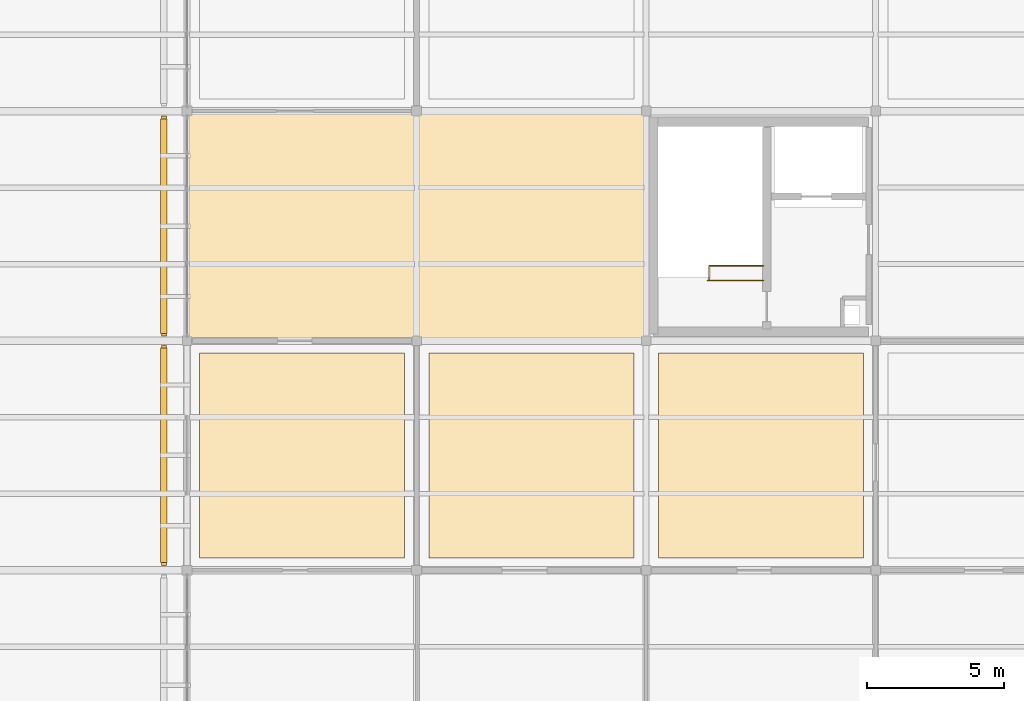
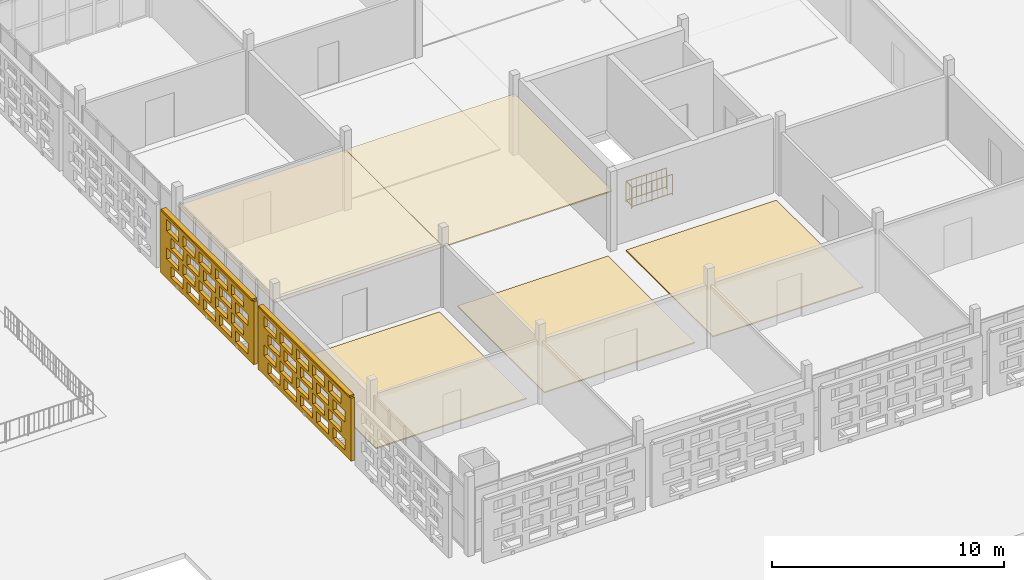
# One storey, part 152 of 166: 7 coverings, 2 railings, 2 shading devices, 40 openings.
"""IFC4 building model written with IfcOpenShell, lengths in metres."""

from ifc_helpers import new_model, si_unit, direction, frame, frame_2d, origin, origin_2d, place, context, subcontext, project, spatial, rectangle, circle, extrude, material, layer, layer_set, type_object, element, save


model = new_model("IFC4")

# Units and contexts
model_context = context("Model", 3, precision=1e-05, world=origin(), true_north=direction((0.0, 1.0)))
body_context = subcontext(model_context, "Body", "Model", "MODEL_VIEW")
ifc_project = project(units=[si_unit("LENGTHUNIT", "METRE"), si_unit("AREAUNIT", "SQUARE_METRE"), si_unit("VOLUMEUNIT", "CUBIC_METRE"), si_unit("PLANEANGLEUNIT", "RADIAN"), si_unit("MASSUNIT", "GRAM", prefix="KILO")], contexts=[model_context])

# Site, building, storey
site_placement = place(None, origin())
site = spatial("IfcSite", under=ifc_project, at=site_placement, CompositionType="ELEMENT")
building_placement = place(site_placement, origin())
building = spatial("IfcBuilding", under=site, at=building_placement, Name="Varnapada Polytechnic", CompositionType="ELEMENT")
storey_placement = place(building_placement, frame((0.0, 0.0, 9.60009765625)))
storey = spatial("IfcBuildingStorey", under=building, at=storey_placement, Name="L02", CompositionType="ELEMENT", Elevation=9.60009765625)

# Coverings
ifc_material_1 = material(Name="Anti-Static Raised Laboratory Flooring")
ifc_layer_1 = layer(ifc_material_1, 0.06005859375)
ifc_layer_set_1 = layer_set([ifc_layer_1], Name="Anti-Static Raised Laboratory Flooring")
covering_type_1 = type_object("IfcCoveringType", Name="Floor Finish FLR-02", PredefinedType="FLOORING", material=ifc_layer_set_1)
for number, where, z_axis, x_axis, name in (
    (1, (138.60009765625, 21.0, -0.000244140625), (0.0, 0.0, 1.0), (1.0, 0.0, 0.0), "L02 floor finish panel (17,3)"),
    (2, (147.0, 21.0, -0.000244140625), (0.0, 0.0, 1.0), (1.0, 0.0, 0.0), "L02 floor finish panel (18,3)"),
    (3, (155.39990234375, 21.0, -0.000244140625), (0.0, 0.0, 1.0), (1.0, 0.0, 0.0), "L02 floor finish panel (19,3)"),
):
    element("IfcCovering", number, at=place(storey_placement, frame(where, z_axis=z_axis, x_axis=x_axis)), inside=storey, type_object=covering_type_1, Name=name, PredefinedType="FLOORING", context=body_context, shape_type="SweptSolid", body=[
        extrude(rectangle(XDim=7.5, YDim=7.5, at=origin_2d()), origin(), (0.0, 0.0, 1.0), 0.06005859375),
    ])

# Railings
ifc_material_2 = material(Name="Brushed Stainless Steel 316", Category="steel")
railing_type = type_object("IfcRailingType", Name="Stair Well Guard Rail SGR-01", PredefinedType="BALUSTRADE", material=ifc_material_2)
railing_1_placement = place(storey_placement, frame((155.5, 27.39990234375, 0.0)))
element("IfcRailing", 4, at=railing_1_placement, inside=storey, type_object=railing_type, Name="L02 ST-6 top well guard 1", PredefinedType="BALUSTRADE", context=body_context, shape_type="SweptSolid", body=[
    extrude(circle(Radius=0.02392578125, at=origin_2d()), frame((0.0, 0.0, 1.09619140625), z_axis=(-1.0, 0.0, 0.0), x_axis=(0.0, -1.0, 0.0)), (0.0, 0.0, 1.0), 2.050048828125),
    extrude(circle(Radius=0.02392578125, at=origin_2d()), frame((0.0, 0.0, 0.10009765625), z_axis=(-1.0, 0.0, 0.0), x_axis=(0.0, -1.0, 0.0)), (0.0, 0.0, 1.0), 2.050048828125),
    extrude(circle(Radius=0.02099609375, at=origin_2d()), origin(), (0.0, 0.0, 1.0), 1.072021484375),
    extrude(circle(Radius=0.02099609375, at=origin_2d()), frame((-1.02490234375, 0.0, 0.0)), (0.0, 0.0, 1.0), 1.072021484375),
    extrude(circle(Radius=0.02099609375, at=origin_2d()), frame((-2.050048828125, 0.0, 0.0)), (0.0, 0.0, 1.0), 1.072021484375),
    extrude(circle(Radius=0.010009765625, at=origin_2d()), frame((-0.25634765625, 0.0, 0.10009765625)), (0.0, 0.0, 1.0), 0.971923828125),
    extrude(circle(Radius=0.010009765625, at=origin_2d()), frame((-0.512451171875, 0.0, 0.10009765625)), (0.0, 0.0, 1.0), 0.971923828125),
    extrude(circle(Radius=0.010009765625, at=origin_2d()), frame((-0.768798828125, 0.0, 0.10009765625)), (0.0, 0.0, 1.0), 0.971923828125),
    extrude(circle(Radius=0.010009765625, at=origin_2d()), frame((-1.02490234375, 0.0, 0.10009765625)), (0.0, 0.0, 1.0), 0.971923828125),
    extrude(circle(Radius=0.010009765625, at=origin_2d()), frame((-1.28125, 0.0, 0.10009765625)), (0.0, 0.0, 1.0), 0.971923828125),
    extrude(circle(Radius=0.010009765625, at=origin_2d()), frame((-1.53759765625, 0.0, 0.10009765625)), (0.0, 0.0, 1.0), 0.971923828125),
    extrude(circle(Radius=0.010009765625, at=origin_2d()), frame((-1.793701171875, 0.0, 0.10009765625)), (0.0, 0.0, 1.0), 0.971923828125),
])
railing_2_placement = place(storey_placement, frame((153.5, 27.449951171875, 0.0)))
element("IfcRailing", 5, at=railing_2_placement, inside=storey, type_object=railing_type, Name="L02 C6 top stair-well guard", PredefinedType="BALUSTRADE", context=body_context, shape_type="SweptSolid", body=[
    extrude(circle(Radius=0.02392578125, at=origin_2d()), frame((0.0, 0.0, 1.09619140625), z_axis=(0.0, 1.0, 0.0), x_axis=(-1.0, 0.0, 0.0)), (0.0, 0.0, 1.0), 0.489990234375),
    extrude(circle(Radius=0.02392578125, at=origin_2d()), frame((0.0, 0.0, 0.10009765625), z_axis=(0.0, 1.0, 0.0), x_axis=(-1.0, 0.0, 0.0)), (0.0, 0.0, 1.0), 0.489990234375),
    extrude(circle(Radius=0.02392578125, at=origin_2d()), frame((0.0, 0.489990234375, 1.09619140625), z_axis=(1.0, 0.0, 0.0), x_axis=(0.0, 1.0, 0.0)), (0.0, 0.0, 1.0), 2.0),
    extrude(circle(Radius=0.02392578125, at=origin_2d()), frame((0.0, 0.489990234375, 0.10009765625), z_axis=(1.0, 0.0, 0.0), x_axis=(0.0, 1.0, 0.0)), (0.0, 0.0, 1.0), 2.0),
    extrude(circle(Radius=0.02099609375, at=origin_2d()), origin(), (0.0, 0.0, 1.0), 1.072021484375),
    extrude(circle(Radius=0.02099609375, at=origin_2d()), frame((0.0, 0.489990234375, 0.0)), (0.0, 0.0, 1.0), 1.072021484375),
    extrude(circle(Radius=0.02099609375, at=origin_2d()), frame((1.0, 0.489990234375, 0.0)), (0.0, 0.0, 1.0), 1.072021484375),
    extrude(circle(Radius=0.02099609375, at=origin_2d()), frame((2.0, 0.489990234375, 0.0)), (0.0, 0.0, 1.0), 1.072021484375),
    extrude(circle(Radius=0.010009765625, at=origin_2d()), frame((0.0, 0.2451171875, 0.10009765625)), (0.0, 0.0, 1.0), 0.971923828125),
    extrude(circle(Radius=0.010009765625, at=origin_2d()), frame((0.25, 0.489990234375, 0.10009765625)), (0.0, 0.0, 1.0), 0.971923828125),
    extrude(circle(Radius=0.010009765625, at=origin_2d()), frame((0.5, 0.489990234375, 0.10009765625)), (0.0, 0.0, 1.0), 0.971923828125),
    extrude(circle(Radius=0.010009765625, at=origin_2d()), frame((0.75, 0.489990234375, 0.10009765625)), (0.0, 0.0, 1.0), 0.971923828125),
    extrude(circle(Radius=0.010009765625, at=origin_2d()), frame((1.0, 0.489990234375, 0.10009765625)), (0.0, 0.0, 1.0), 0.971923828125),
    extrude(circle(Radius=0.010009765625, at=origin_2d()), frame((1.25, 0.489990234375, 0.10009765625)), (0.0, 0.0, 1.0), 0.971923828125),
    extrude(circle(Radius=0.010009765625, at=origin_2d()), frame((1.5, 0.489990234375, 0.10009765625)), (0.0, 0.0, 1.0), 0.971923828125),
    extrude(circle(Radius=0.010009765625, at=origin_2d()), frame((1.75, 0.489990234375, 0.10009765625)), (0.0, 0.0, 1.0), 0.971923828125),
])

# Coverings
ifc_material_3 = material(Name="Perforated Timber Slatted Baffle Ceiling", Category="wood")
ifc_layer_2 = layer(ifc_material_3, 0.050048828125)
ifc_layer_set_2 = layer_set([ifc_layer_2], Name="Perforated Timber Slatted Baffle Ceiling")
covering_type_2 = type_object("IfcCoveringType", Name="Suspended Ceiling CLG-02", PredefinedType="CEILING", material=ifc_layer_set_2)
covering_1_placement = place(storey_placement, frame((138.60009765625, 29.39990234375, 3.02490234375), z_axis=(0.0, 0.0, 1.0), x_axis=(1.0, 0.0, 0.0)))
element("IfcCovering", 6, at=covering_1_placement, inside=storey, type_object=covering_type_2, Name="L02 suspended acoustic ceiling (17,4)", PredefinedType="CEILING", context=body_context, shape_type="SweptSolid", body=[
    extrude(rectangle(XDim=8.419921875, YDim=8.419921875, at=origin_2d()), origin(), (0.0, 0.0, 1.0), 0.050048828125),
])
ifc_material_4 = material(Name="Deep Acoustic Auditorium Cloud Baffle")
ifc_layer_3 = layer(ifc_material_4, 0.06494140625)
ifc_layer_set_3 = layer_set([ifc_layer_3], Name="Deep Acoustic Auditorium Cloud Baffle")
covering_type_3 = type_object("IfcCoveringType", Name="Suspended Ceiling CLG-07", PredefinedType="CEILING", material=ifc_layer_set_3)
covering_2_placement = place(storey_placement, frame((147.0, 29.39990234375, 3.017333984375), z_axis=(0.0, 0.0, 1.0), x_axis=(1.0, 0.0, 0.0)))
element("IfcCovering", 7, at=covering_2_placement, inside=storey, type_object=covering_type_3, Name="L02 suspended acoustic ceiling (18,4)", PredefinedType="CEILING", context=body_context, shape_type="SweptSolid", body=[
    extrude(rectangle(XDim=8.419921875, YDim=8.419921875, at=origin_2d()), origin(), (0.0, 0.0, 1.0), 0.06494140625),
])

# Covering, openings
ifc_material_5 = material(Name="Earth-toned architectural terracotta screen block", Category="masonry")
ifc_layer_4 = layer(ifc_material_5, 0.1201171875)
ifc_layer_set_4 = layer_set([ifc_layer_4], Name="Earth-toned architectural terracotta screen block")
covering_type_4 = type_object("IfcCoveringType", Name="Terracotta Screen Cladding CLD-01", PredefinedType="CLADDING", material=ifc_layer_set_4)
covering_3_placement = place(storey_placement, frame((133.550048828125, 16.97998046875, 0.0), z_axis=(0.0, 0.0, 1.0), x_axis=(0.0, 1.0, 0.0)))
covering_3 = element("IfcCovering", 8, at=covering_3_placement, inside=storey, type_object=covering_type_4, Name="L02 perforated terracotta block screen (81)", PredefinedType="CLADDING", context=body_context, shape_type="SweptSolid", body=[
    extrude(rectangle(XDim=8.050048828125, YDim=0.179931640625, at=frame_2d((4.02490234375, 0.0))), origin(), (0.0, 0.0, 1.0), 3.31982421875),
])
opening_1_placement = place(covering_3_placement, frame((0.52490234375, 0.0, 0.265625)))
element("IfcOpeningElement", 9, at=opening_1_placement, cuts=covering_3, Name="Screen perforation TBS-L02-080.1", PredefinedType="OPENING", context=body_context, shape_type="SweptSolid", body=[
    extrude(rectangle(XDim=1.0400390625, YDim=0.5810546875, at=frame_2d((0.52001953125, 0.29052734375))), frame((0.0, 0.099853515625, 0.0), z_axis=(0.0, -1.0, 0.0), x_axis=(1.0, 0.0, 0.0)), (0.0, 0.0, 1.0), 0.199951171875),
])
opening_2_placement = place(covering_3_placement, frame((1.925048828125, 0.0, 0.265625)))
element("IfcOpeningElement", 10, at=opening_2_placement, cuts=covering_3, Name="Screen perforation TBS-L02-080.2", PredefinedType="OPENING", context=body_context, shape_type="SweptSolid", body=[
    extrude(rectangle(XDim=1.0400390625, YDim=0.5810546875, at=frame_2d((0.52001953125, 0.29052734375))), frame((0.0, 0.099853515625, 0.0), z_axis=(0.0, -1.0, 0.0), x_axis=(1.0, 0.0, 0.0)), (0.0, 0.0, 1.0), 0.199951171875),
])
opening_3_placement = place(covering_3_placement, frame((3.324951171875, 0.0, 0.265625)))
element("IfcOpeningElement", 11, at=opening_3_placement, cuts=covering_3, Name="Screen perforation TBS-L02-080.3", PredefinedType="OPENING", context=body_context, shape_type="SweptSolid", body=[
    extrude(rectangle(XDim=1.0400390625, YDim=0.5810546875, at=frame_2d((0.52001953125, 0.29052734375))), frame((0.0, 0.099853515625, 0.0), z_axis=(0.0, -1.0, 0.0), x_axis=(1.0, 0.0, 0.0)), (0.0, 0.0, 1.0), 0.199951171875),
])
opening_4_placement = place(covering_3_placement, frame((4.72509765625, 0.0, 0.265625)))
element("IfcOpeningElement", 12, at=opening_4_placement, cuts=covering_3, Name="Screen perforation TBS-L02-080.4", PredefinedType="OPENING", context=body_context, shape_type="SweptSolid", body=[
    extrude(rectangle(XDim=1.0400390625, YDim=0.5810546875, at=frame_2d((0.52001953125, 0.29052734375))), frame((0.0, 0.099853515625, 0.0), z_axis=(0.0, -1.0, 0.0), x_axis=(1.0, 0.0, 0.0)), (0.0, 0.0, 1.0), 0.199951171875),
])
opening_5_placement = place(covering_3_placement, frame((6.125, 0.0, 0.265625)))
element("IfcOpeningElement", 13, at=opening_5_placement, cuts=covering_3, Name="Screen perforation TBS-L02-080.5", PredefinedType="OPENING", context=body_context, shape_type="SweptSolid", body=[
    extrude(rectangle(XDim=1.0400390625, YDim=0.5810546875, at=frame_2d((0.52001953125, 0.29052734375))), frame((0.0, 0.099853515625, 0.0), z_axis=(0.0, -1.0, 0.0), x_axis=(1.0, 0.0, 0.0)), (0.0, 0.0, 1.0), 0.199951171875),
])
opening_6_placement = place(covering_3_placement, frame((0.885009765625, 0.0, 1.0126953125)))
element("IfcOpeningElement", 14, at=opening_6_placement, cuts=covering_3, Name="Screen perforation TBS-L02-080.6", PredefinedType="OPENING", context=body_context, shape_type="SweptSolid", body=[
    extrude(rectangle(XDim=1.0400390625, YDim=0.5810546875, at=frame_2d((0.52001953125, 0.29052734375))), frame((0.0, 0.099853515625, 0.0), z_axis=(0.0, -1.0, 0.0), x_axis=(1.0, 0.0, 0.0)), (0.0, 0.0, 1.0), 0.199951171875),
])
opening_7_placement = place(covering_3_placement, frame((2.284912109375, 0.0, 1.0126953125)))
element("IfcOpeningElement", 15, at=opening_7_placement, cuts=covering_3, Name="Screen perforation TBS-L02-080.7", PredefinedType="OPENING", context=body_context, shape_type="SweptSolid", body=[
    extrude(rectangle(XDim=1.0400390625, YDim=0.5810546875, at=frame_2d((0.52001953125, 0.29052734375))), frame((0.0, 0.099853515625, 0.0), z_axis=(0.0, -1.0, 0.0), x_axis=(1.0, 0.0, 0.0)), (0.0, 0.0, 1.0), 0.199951171875),
])
opening_8_placement = place(covering_3_placement, frame((3.68505859375, 0.0, 1.0126953125)))
element("IfcOpeningElement", 16, at=opening_8_placement, cuts=covering_3, Name="Screen perforation TBS-L02-080.8", PredefinedType="OPENING", context=body_context, shape_type="SweptSolid", body=[
    extrude(rectangle(XDim=1.0400390625, YDim=0.5810546875, at=frame_2d((0.52001953125, 0.29052734375))), frame((0.0, 0.099853515625, 0.0), z_axis=(0.0, -1.0, 0.0), x_axis=(1.0, 0.0, 0.0)), (0.0, 0.0, 1.0), 0.199951171875),
])
opening_9_placement = place(covering_3_placement, frame((5.0849609375, 0.0, 1.0126953125)))
element("IfcOpeningElement", 17, at=opening_9_placement, cuts=covering_3, Name="Screen perforation TBS-L02-080.9", PredefinedType="OPENING", context=body_context, shape_type="SweptSolid", body=[
    extrude(rectangle(XDim=1.0400390625, YDim=0.5810546875, at=frame_2d((0.52001953125, 0.29052734375))), frame((0.0, 0.099853515625, 0.0), z_axis=(0.0, -1.0, 0.0), x_axis=(1.0, 0.0, 0.0)), (0.0, 0.0, 1.0), 0.199951171875),
])
opening_10_placement = place(covering_3_placement, frame((6.485107421875, 0.0, 1.0126953125)))
element("IfcOpeningElement", 18, at=opening_10_placement, cuts=covering_3, Name="Screen perforation TBS-L02-080.10", PredefinedType="OPENING", context=body_context, shape_type="SweptSolid", body=[
    extrude(rectangle(XDim=1.0400390625, YDim=0.5810546875, at=frame_2d((0.52001953125, 0.29052734375))), frame((0.0, 0.099853515625, 0.0), z_axis=(0.0, -1.0, 0.0), x_axis=(1.0, 0.0, 0.0)), (0.0, 0.0, 1.0), 0.199951171875),
])
opening_11_placement = place(covering_3_placement, frame((0.52490234375, 0.0, 1.759521484375)))
element("IfcOpeningElement", 19, at=opening_11_placement, cuts=covering_3, Name="Screen perforation TBS-L02-080.11", PredefinedType="OPENING", context=body_context, shape_type="SweptSolid", body=[
    extrude(rectangle(XDim=1.0400390625, YDim=0.5810546875, at=frame_2d((0.52001953125, 0.29052734375))), frame((0.0, 0.099853515625, 0.0), z_axis=(0.0, -1.0, 0.0), x_axis=(1.0, 0.0, 0.0)), (0.0, 0.0, 1.0), 0.199951171875),
])
opening_12_placement = place(covering_3_placement, frame((1.925048828125, 0.0, 1.759521484375)))
element("IfcOpeningElement", 20, at=opening_12_placement, cuts=covering_3, Name="Screen perforation TBS-L02-080.12", PredefinedType="OPENING", context=body_context, shape_type="SweptSolid", body=[
    extrude(rectangle(XDim=1.0400390625, YDim=0.5810546875, at=frame_2d((0.52001953125, 0.29052734375))), frame((0.0, 0.099853515625, 0.0), z_axis=(0.0, -1.0, 0.0), x_axis=(1.0, 0.0, 0.0)), (0.0, 0.0, 1.0), 0.199951171875),
])
opening_13_placement = place(covering_3_placement, frame((3.324951171875, 0.0, 1.759521484375)))
element("IfcOpeningElement", 21, at=opening_13_placement, cuts=covering_3, Name="Screen perforation TBS-L02-080.13", PredefinedType="OPENING", context=body_context, shape_type="SweptSolid", body=[
    extrude(rectangle(XDim=1.0400390625, YDim=0.5810546875, at=frame_2d((0.52001953125, 0.29052734375))), frame((0.0, 0.099853515625, 0.0), z_axis=(0.0, -1.0, 0.0), x_axis=(1.0, 0.0, 0.0)), (0.0, 0.0, 1.0), 0.199951171875),
])
opening_14_placement = place(covering_3_placement, frame((4.72509765625, 0.0, 1.759521484375)))
element("IfcOpeningElement", 22, at=opening_14_placement, cuts=covering_3, Name="Screen perforation TBS-L02-080.14", PredefinedType="OPENING", context=body_context, shape_type="SweptSolid", body=[
    extrude(rectangle(XDim=1.0400390625, YDim=0.5810546875, at=frame_2d((0.52001953125, 0.29052734375))), frame((0.0, 0.099853515625, 0.0), z_axis=(0.0, -1.0, 0.0), x_axis=(1.0, 0.0, 0.0)), (0.0, 0.0, 1.0), 0.199951171875),
])
opening_15_placement = place(covering_3_placement, frame((6.125, 0.0, 1.759521484375)))
element("IfcOpeningElement", 23, at=opening_15_placement, cuts=covering_3, Name="Screen perforation TBS-L02-080.15", PredefinedType="OPENING", context=body_context, shape_type="SweptSolid", body=[
    extrude(rectangle(XDim=1.0400390625, YDim=0.5810546875, at=frame_2d((0.52001953125, 0.29052734375))), frame((0.0, 0.099853515625, 0.0), z_axis=(0.0, -1.0, 0.0), x_axis=(1.0, 0.0, 0.0)), (0.0, 0.0, 1.0), 0.199951171875),
])
opening_16_placement = place(covering_3_placement, frame((0.885009765625, 0.0, 2.506591796875)))
element("IfcOpeningElement", 24, at=opening_16_placement, cuts=covering_3, Name="Screen perforation TBS-L02-080.16", PredefinedType="OPENING", context=body_context, shape_type="SweptSolid", body=[
    extrude(rectangle(XDim=1.0400390625, YDim=0.5810546875, at=frame_2d((0.52001953125, 0.29052734375))), frame((0.0, 0.099853515625, 0.0), z_axis=(0.0, -1.0, 0.0), x_axis=(1.0, 0.0, 0.0)), (0.0, 0.0, 1.0), 0.199951171875),
])
opening_17_placement = place(covering_3_placement, frame((2.284912109375, 0.0, 2.506591796875)))
element("IfcOpeningElement", 25, at=opening_17_placement, cuts=covering_3, Name="Screen perforation TBS-L02-080.17", PredefinedType="OPENING", context=body_context, shape_type="SweptSolid", body=[
    extrude(rectangle(XDim=1.0400390625, YDim=0.5810546875, at=frame_2d((0.52001953125, 0.29052734375))), frame((0.0, 0.099853515625, 0.0), z_axis=(0.0, -1.0, 0.0), x_axis=(1.0, 0.0, 0.0)), (0.0, 0.0, 1.0), 0.199951171875),
])
opening_18_placement = place(covering_3_placement, frame((3.68505859375, 0.0, 2.506591796875)))
element("IfcOpeningElement", 26, at=opening_18_placement, cuts=covering_3, Name="Screen perforation TBS-L02-080.18", PredefinedType="OPENING", context=body_context, shape_type="SweptSolid", body=[
    extrude(rectangle(XDim=1.0400390625, YDim=0.5810546875, at=frame_2d((0.52001953125, 0.29052734375))), frame((0.0, 0.099853515625, 0.0), z_axis=(0.0, -1.0, 0.0), x_axis=(1.0, 0.0, 0.0)), (0.0, 0.0, 1.0), 0.199951171875),
])
opening_19_placement = place(covering_3_placement, frame((5.0849609375, 0.0, 2.506591796875)))
element("IfcOpeningElement", 27, at=opening_19_placement, cuts=covering_3, Name="Screen perforation TBS-L02-080.19", PredefinedType="OPENING", context=body_context, shape_type="SweptSolid", body=[
    extrude(rectangle(XDim=1.0400390625, YDim=0.5810546875, at=frame_2d((0.52001953125, 0.29052734375))), frame((0.0, 0.099853515625, 0.0), z_axis=(0.0, -1.0, 0.0), x_axis=(1.0, 0.0, 0.0)), (0.0, 0.0, 1.0), 0.199951171875),
])
opening_20_placement = place(covering_3_placement, frame((6.485107421875, 0.0, 2.506591796875)))
element("IfcOpeningElement", 28, at=opening_20_placement, cuts=covering_3, Name="Screen perforation TBS-L02-080.20", PredefinedType="OPENING", context=body_context, shape_type="SweptSolid", body=[
    extrude(rectangle(XDim=1.0400390625, YDim=0.5810546875, at=frame_2d((0.52001953125, 0.29052734375))), frame((0.0, 0.099853515625, 0.0), z_axis=(0.0, -1.0, 0.0), x_axis=(1.0, 0.0, 0.0)), (0.0, 0.0, 1.0), 0.199951171875),
])

covering_4_placement = place(storey_placement, frame((133.550048828125, 25.3701171875, 0.0), z_axis=(0.0, 0.0, 1.0), x_axis=(0.0, 1.0, 0.0)))
covering_4 = element("IfcCovering", 29, at=covering_4_placement, inside=storey, type_object=covering_type_4, Name="L02 perforated terracotta block screen (82)", PredefinedType="CLADDING", context=body_context, shape_type="SweptSolid", body=[
    extrude(rectangle(XDim=8.0498046875, YDim=0.179931640625, at=frame_2d((4.02490234375, 0.0))), origin(), (0.0, 0.0, 1.0), 3.31982421875),
])
opening_21_placement = place(covering_4_placement, frame((0.52490234375, 0.0, 0.265625)))
element("IfcOpeningElement", 30, at=opening_21_placement, cuts=covering_4, Name="Screen perforation TBS-L02-081.1", PredefinedType="OPENING", context=body_context, shape_type="SweptSolid", body=[
    extrude(rectangle(XDim=1.0400390625, YDim=0.5810546875, at=frame_2d((0.52001953125, 0.29052734375))), frame((0.0, 0.099853515625, 0.0), z_axis=(0.0, -1.0, 0.0), x_axis=(1.0, 0.0, 0.0)), (0.0, 0.0, 1.0), 0.199951171875),
])
opening_22_placement = place(covering_4_placement, frame((1.925048828125, 0.0, 0.265625)))
element("IfcOpeningElement", 31, at=opening_22_placement, cuts=covering_4, Name="Screen perforation TBS-L02-081.2", PredefinedType="OPENING", context=body_context, shape_type="SweptSolid", body=[
    extrude(rectangle(XDim=1.0400390625, YDim=0.5810546875, at=frame_2d((0.52001953125, 0.29052734375))), frame((0.0, 0.099853515625, 0.0), z_axis=(0.0, -1.0, 0.0), x_axis=(1.0, 0.0, 0.0)), (0.0, 0.0, 1.0), 0.199951171875),
])
opening_23_placement = place(covering_4_placement, frame((3.324951171875, 0.0, 0.265625)))
element("IfcOpeningElement", 32, at=opening_23_placement, cuts=covering_4, Name="Screen perforation TBS-L02-081.3", PredefinedType="OPENING", context=body_context, shape_type="SweptSolid", body=[
    extrude(rectangle(XDim=1.0400390625, YDim=0.5810546875, at=frame_2d((0.52001953125, 0.29052734375))), frame((0.0, 0.099853515625, 0.0), z_axis=(0.0, -1.0, 0.0), x_axis=(1.0, 0.0, 0.0)), (0.0, 0.0, 1.0), 0.199951171875),
])
opening_24_placement = place(covering_4_placement, frame((4.72509765625, 0.0, 0.265625)))
element("IfcOpeningElement", 33, at=opening_24_placement, cuts=covering_4, Name="Screen perforation TBS-L02-081.4", PredefinedType="OPENING", context=body_context, shape_type="SweptSolid", body=[
    extrude(rectangle(XDim=1.0400390625, YDim=0.5810546875, at=frame_2d((0.52001953125, 0.29052734375))), frame((0.0, 0.099853515625, 0.0), z_axis=(0.0, -1.0, 0.0), x_axis=(1.0, 0.0, 0.0)), (0.0, 0.0, 1.0), 0.199951171875),
])
opening_25_placement = place(covering_4_placement, frame((6.125, 0.0, 0.265625)))
element("IfcOpeningElement", 34, at=opening_25_placement, cuts=covering_4, Name="Screen perforation TBS-L02-081.5", PredefinedType="OPENING", context=body_context, shape_type="SweptSolid", body=[
    extrude(rectangle(XDim=1.0400390625, YDim=0.5810546875, at=frame_2d((0.52001953125, 0.29052734375))), frame((0.0, 0.099853515625, 0.0), z_axis=(0.0, -1.0, 0.0), x_axis=(1.0, 0.0, 0.0)), (0.0, 0.0, 1.0), 0.199951171875),
])
opening_26_placement = place(covering_4_placement, frame((0.885009765625, 0.0, 1.0126953125)))
element("IfcOpeningElement", 35, at=opening_26_placement, cuts=covering_4, Name="Screen perforation TBS-L02-081.6", PredefinedType="OPENING", context=body_context, shape_type="SweptSolid", body=[
    extrude(rectangle(XDim=1.0400390625, YDim=0.5810546875, at=frame_2d((0.52001953125, 0.29052734375))), frame((0.0, 0.099853515625, 0.0), z_axis=(0.0, -1.0, 0.0), x_axis=(1.0, 0.0, 0.0)), (0.0, 0.0, 1.0), 0.199951171875),
])
opening_27_placement = place(covering_4_placement, frame((2.284912109375, 0.0, 1.0126953125)))
element("IfcOpeningElement", 36, at=opening_27_placement, cuts=covering_4, Name="Screen perforation TBS-L02-081.7", PredefinedType="OPENING", context=body_context, shape_type="SweptSolid", body=[
    extrude(rectangle(XDim=1.0400390625, YDim=0.5810546875, at=frame_2d((0.52001953125, 0.29052734375))), frame((0.0, 0.099853515625, 0.0), z_axis=(0.0, -1.0, 0.0), x_axis=(1.0, 0.0, 0.0)), (0.0, 0.0, 1.0), 0.199951171875),
])
opening_28_placement = place(covering_4_placement, frame((3.68505859375, 0.0, 1.0126953125)))
element("IfcOpeningElement", 37, at=opening_28_placement, cuts=covering_4, Name="Screen perforation TBS-L02-081.8", PredefinedType="OPENING", context=body_context, shape_type="SweptSolid", body=[
    extrude(rectangle(XDim=1.0400390625, YDim=0.5810546875, at=frame_2d((0.52001953125, 0.29052734375))), frame((0.0, 0.099853515625, 0.0), z_axis=(0.0, -1.0, 0.0), x_axis=(1.0, 0.0, 0.0)), (0.0, 0.0, 1.0), 0.199951171875),
])
opening_29_placement = place(covering_4_placement, frame((5.0849609375, 0.0, 1.0126953125)))
element("IfcOpeningElement", 38, at=opening_29_placement, cuts=covering_4, Name="Screen perforation TBS-L02-081.9", PredefinedType="OPENING", context=body_context, shape_type="SweptSolid", body=[
    extrude(rectangle(XDim=1.0400390625, YDim=0.5810546875, at=frame_2d((0.52001953125, 0.29052734375))), frame((0.0, 0.099853515625, 0.0), z_axis=(0.0, -1.0, 0.0), x_axis=(1.0, 0.0, 0.0)), (0.0, 0.0, 1.0), 0.199951171875),
])
opening_30_placement = place(covering_4_placement, frame((6.485107421875, 0.0, 1.0126953125)))
element("IfcOpeningElement", 39, at=opening_30_placement, cuts=covering_4, Name="Screen perforation TBS-L02-081.10", PredefinedType="OPENING", context=body_context, shape_type="SweptSolid", body=[
    extrude(rectangle(XDim=1.0400390625, YDim=0.5810546875, at=frame_2d((0.52001953125, 0.29052734375))), frame((0.0, 0.099853515625, 0.0), z_axis=(0.0, -1.0, 0.0), x_axis=(1.0, 0.0, 0.0)), (0.0, 0.0, 1.0), 0.199951171875),
])
opening_31_placement = place(covering_4_placement, frame((0.52490234375, 0.0, 1.759521484375)))
element("IfcOpeningElement", 40, at=opening_31_placement, cuts=covering_4, Name="Screen perforation TBS-L02-081.11", PredefinedType="OPENING", context=body_context, shape_type="SweptSolid", body=[
    extrude(rectangle(XDim=1.0400390625, YDim=0.5810546875, at=frame_2d((0.52001953125, 0.29052734375))), frame((0.0, 0.099853515625, 0.0), z_axis=(0.0, -1.0, 0.0), x_axis=(1.0, 0.0, 0.0)), (0.0, 0.0, 1.0), 0.199951171875),
])
opening_32_placement = place(covering_4_placement, frame((1.925048828125, 0.0, 1.759521484375)))
element("IfcOpeningElement", 41, at=opening_32_placement, cuts=covering_4, Name="Screen perforation TBS-L02-081.12", PredefinedType="OPENING", context=body_context, shape_type="SweptSolid", body=[
    extrude(rectangle(XDim=1.0400390625, YDim=0.5810546875, at=frame_2d((0.52001953125, 0.29052734375))), frame((0.0, 0.099853515625, 0.0), z_axis=(0.0, -1.0, 0.0), x_axis=(1.0, 0.0, 0.0)), (0.0, 0.0, 1.0), 0.199951171875),
])
opening_33_placement = place(covering_4_placement, frame((3.324951171875, 0.0, 1.759521484375)))
element("IfcOpeningElement", 42, at=opening_33_placement, cuts=covering_4, Name="Screen perforation TBS-L02-081.13", PredefinedType="OPENING", context=body_context, shape_type="SweptSolid", body=[
    extrude(rectangle(XDim=1.0400390625, YDim=0.5810546875, at=frame_2d((0.52001953125, 0.29052734375))), frame((0.0, 0.099853515625, 0.0), z_axis=(0.0, -1.0, 0.0), x_axis=(1.0, 0.0, 0.0)), (0.0, 0.0, 1.0), 0.199951171875),
])
opening_34_placement = place(covering_4_placement, frame((4.72509765625, 0.0, 1.759521484375)))
element("IfcOpeningElement", 43, at=opening_34_placement, cuts=covering_4, Name="Screen perforation TBS-L02-081.14", PredefinedType="OPENING", context=body_context, shape_type="SweptSolid", body=[
    extrude(rectangle(XDim=1.0400390625, YDim=0.5810546875, at=frame_2d((0.52001953125, 0.29052734375))), frame((0.0, 0.099853515625, 0.0), z_axis=(0.0, -1.0, 0.0), x_axis=(1.0, 0.0, 0.0)), (0.0, 0.0, 1.0), 0.199951171875),
])
opening_35_placement = place(covering_4_placement, frame((6.125, 0.0, 1.759521484375)))
element("IfcOpeningElement", 44, at=opening_35_placement, cuts=covering_4, Name="Screen perforation TBS-L02-081.15", PredefinedType="OPENING", context=body_context, shape_type="SweptSolid", body=[
    extrude(rectangle(XDim=1.0400390625, YDim=0.5810546875, at=frame_2d((0.52001953125, 0.29052734375))), frame((0.0, 0.099853515625, 0.0), z_axis=(0.0, -1.0, 0.0), x_axis=(1.0, 0.0, 0.0)), (0.0, 0.0, 1.0), 0.199951171875),
])
opening_36_placement = place(covering_4_placement, frame((0.885009765625, 0.0, 2.506591796875)))
element("IfcOpeningElement", 45, at=opening_36_placement, cuts=covering_4, Name="Screen perforation TBS-L02-081.16", PredefinedType="OPENING", context=body_context, shape_type="SweptSolid", body=[
    extrude(rectangle(XDim=1.0400390625, YDim=0.5810546875, at=frame_2d((0.52001953125, 0.29052734375))), frame((0.0, 0.099853515625, 0.0), z_axis=(0.0, -1.0, 0.0), x_axis=(1.0, 0.0, 0.0)), (0.0, 0.0, 1.0), 0.199951171875),
])
opening_37_placement = place(covering_4_placement, frame((2.284912109375, 0.0, 2.506591796875)))
element("IfcOpeningElement", 46, at=opening_37_placement, cuts=covering_4, Name="Screen perforation TBS-L02-081.17", PredefinedType="OPENING", context=body_context, shape_type="SweptSolid", body=[
    extrude(rectangle(XDim=1.0400390625, YDim=0.5810546875, at=frame_2d((0.52001953125, 0.29052734375))), frame((0.0, 0.099853515625, 0.0), z_axis=(0.0, -1.0, 0.0), x_axis=(1.0, 0.0, 0.0)), (0.0, 0.0, 1.0), 0.199951171875),
])
opening_38_placement = place(covering_4_placement, frame((3.68505859375, 0.0, 2.506591796875)))
element("IfcOpeningElement", 47, at=opening_38_placement, cuts=covering_4, Name="Screen perforation TBS-L02-081.18", PredefinedType="OPENING", context=body_context, shape_type="SweptSolid", body=[
    extrude(rectangle(XDim=1.0400390625, YDim=0.5810546875, at=frame_2d((0.52001953125, 0.29052734375))), frame((0.0, 0.099853515625, 0.0), z_axis=(0.0, -1.0, 0.0), x_axis=(1.0, 0.0, 0.0)), (0.0, 0.0, 1.0), 0.199951171875),
])
opening_39_placement = place(covering_4_placement, frame((5.0849609375, 0.0, 2.506591796875)))
element("IfcOpeningElement", 48, at=opening_39_placement, cuts=covering_4, Name="Screen perforation TBS-L02-081.19", PredefinedType="OPENING", context=body_context, shape_type="SweptSolid", body=[
    extrude(rectangle(XDim=1.0400390625, YDim=0.5810546875, at=frame_2d((0.52001953125, 0.29052734375))), frame((0.0, 0.099853515625, 0.0), z_axis=(0.0, -1.0, 0.0), x_axis=(1.0, 0.0, 0.0)), (0.0, 0.0, 1.0), 0.199951171875),
])
opening_40_placement = place(covering_4_placement, frame((6.485107421875, 0.0, 2.506591796875)))
element("IfcOpeningElement", 49, at=opening_40_placement, cuts=covering_4, Name="Screen perforation TBS-L02-081.20", PredefinedType="OPENING", context=body_context, shape_type="SweptSolid", body=[
    extrude(rectangle(XDim=1.0400390625, YDim=0.5810546875, at=frame_2d((0.52001953125, 0.29052734375))), frame((0.0, 0.099853515625, 0.0), z_axis=(0.0, -1.0, 0.0), x_axis=(1.0, 0.0, 0.0)), (0.0, 0.0, 1.0), 0.199951171875),
])

# Shading devices
ifc_layer_5 = layer(ifc_material_5, 0.179931640625)
ifc_layer_set_5 = layer_set([ifc_layer_5], Name="Earth-toned architectural terracotta screen block")
shading_device_type = type_object("IfcShadingDeviceType", Name="Terracotta Screen SCR-01", PredefinedType="USERDEFINED", material=ifc_layer_set_5)
for number, where, z_axis, x_axis, name in (
    (50, (133.550048828125, 21.0048828125, 3.309814453125), (0.0, 0.0, 1.0), (0.0, 1.0, 0.0), "L02 perforated terracotta screen hood 305"),
    (51, (133.550048828125, 29.39501953125, 3.309814453125), (0.0, 0.0, 1.0), (0.0, 1.0, 0.0), "L02 perforated terracotta screen hood 306"),
):
    element("IfcShadingDevice", number, at=place(storey_placement, frame(where, z_axis=z_axis, x_axis=x_axis)), inside=storey, type_object=shading_device_type, Name=name, ObjectType="SCREEN", PredefinedType="USERDEFINED", context=body_context, shape_type="SweptSolid", body=[
        extrude(rectangle(XDim=7.85009765625, YDim=0.239990234375, at=origin_2d()), origin(), (0.0, 0.0, 1.0), 0.10009765625),
    ])

save(model, "model.ifc")
